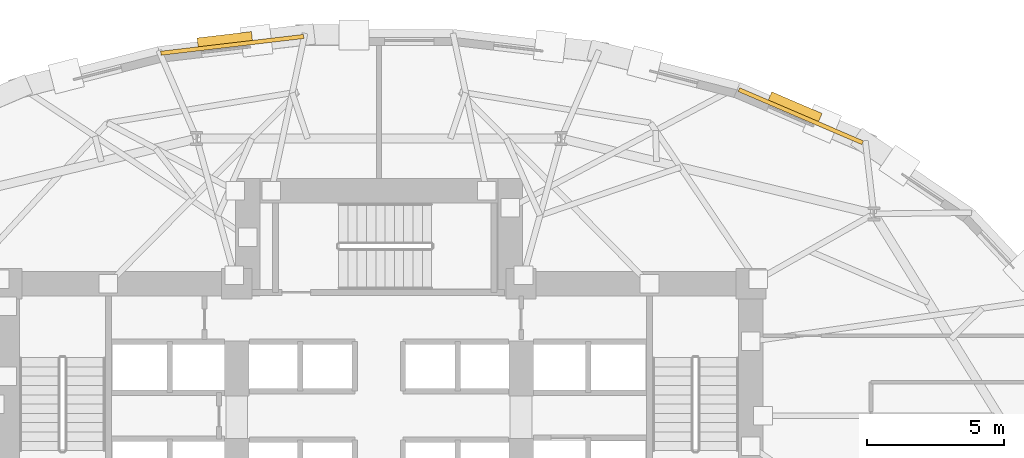
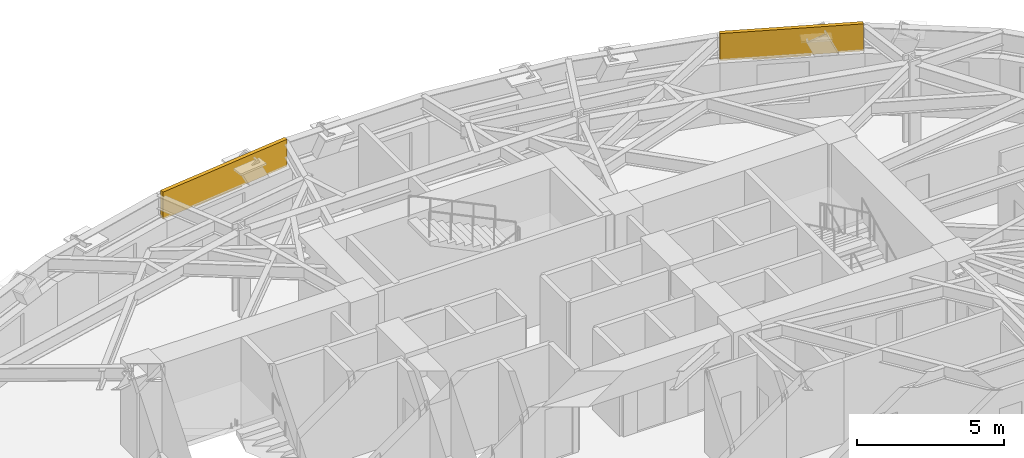
# One storey, part 14 of 14: 2 coverings, 2 shading devices.
"""IFC4 building model written with IfcOpenShell, lengths in metres."""

from ifc_helpers import new_model, si_unit, direction, frame, origin, origin_2d, place, context, subcontext, project, spatial, rectangle, extrude, material, layer, layer_set, type_object, element, save


model = new_model("IFC4")

# Units and contexts
model_context = context("Model", 3, precision=1e-05, world=origin(), true_north=direction((0.0, 1.0)))
body_context = subcontext(model_context, "Body", "Model", "MODEL_VIEW")
ifc_project = project(units=[si_unit("LENGTHUNIT", "METRE"), si_unit("AREAUNIT", "SQUARE_METRE"), si_unit("VOLUMEUNIT", "CUBIC_METRE"), si_unit("PLANEANGLEUNIT", "RADIAN"), si_unit("MASSUNIT", "GRAM", prefix="KILO")], contexts=[model_context])

# Site, building, storey
site_placement = place(None, origin())
site = spatial("IfcSite", under=ifc_project, at=site_placement, CompositionType="ELEMENT")
building_placement = place(site_placement, origin())
building = spatial("IfcBuilding", under=site, at=building_placement, Name="Keldmark Tower", CompositionType="ELEMENT")
storey_placement = place(building_placement, frame((0.0, 0.0, 48.60009765625)))
storey = spatial("IfcBuildingStorey", under=building, at=storey_placement, Name="L12", CompositionType="ELEMENT", Elevation=48.60009765625)

# Shading devices
ifc_material_1 = material(Name="Kasota Buff Limestone Bullnose and Bronze Anodized Aluminum", Category="masonry")
ifc_layer_1 = layer(ifc_material_1, 0.080078125)
ifc_layer_set_1 = layer_set([ifc_layer_1], Name="Kasota Buff Limestone Bullnose and Bronze Anodized Aluminum")
shading_device_type = type_object("IfcShadingDeviceType", Name="Deep-Set Punched Window Stone-and-Metal Sunshade", PredefinedType="AWNING", material=ifc_layer_set_1)
for number, where, z_axis, x_axis, name in (
    (1, (15.20361328125, 15.881591796875, 2.35986328125), (0.0, 0.0, 1.0), (0.91888763684, -0.394519341558, 0.0), "L12 Kasota Stone Window Sunshade 05"),
    (2, (-5.6337890625, 18.347412109375, 2.35986328125), (0.0, 0.0, 1.0), (0.993158426362, 0.116774741047, 0.0), "L12 Kasota Stone Window Sunshade 09"),
):
    element("IfcShadingDevice", number, at=place(storey_placement, frame(where, z_axis=z_axis, x_axis=x_axis)), inside=storey, type_object=shading_device_type, Name=name, PredefinedType="AWNING", context=body_context, shape_type="SweptSolid", body=[
        extrude(rectangle(XDim=2.0, YDim=0.419921875, at=origin_2d()), origin(), (0.0, 0.0, 1.0), 0.080078125),
    ])

# Coverings
ifc_material_2 = material(Name="Honed Kasota Buff Dolomitic Limestone", Category="masonry")
ifc_layer_2 = layer(ifc_material_2, 0.074951171875)
ifc_layer_set_2 = layer_set([ifc_layer_2], Name="Honed Kasota Buff Dolomitic Limestone")
covering_type = type_object("IfcCoveringType", Name="Kasota Buff Limestone Spandrel Cladding Band", PredefinedType="CLADDING", material=ifc_layer_set_2)
covering_1_placement = place(storey_placement, frame((15.426513671875, 15.5791015625, 2.452880859375), z_axis=(0.0, 0.0, 1.0), x_axis=(-0.91888763684, 0.394519341558, 0.0)))
element("IfcCovering", 3, at=covering_1_placement, inside=storey, type_object=covering_type, Name="L12 Kasota Limestone Spandrel Band 05", PredefinedType="CLADDING", context=body_context, shape_type="SweptSolid", body=[
    extrude(rectangle(XDim=4.922119140625, YDim=0.14990234375, at=origin_2d()), origin(), (0.0, 0.0, 1.0), 1.126953125),
])
covering_2_placement = place(storey_placement, frame((-5.36474609375, 18.1875, 2.452880859375), z_axis=(0.0, 0.0, 1.0), x_axis=(-0.993158426362, -0.116774741047, 0.0)))
element("IfcCovering", 4, at=covering_2_placement, inside=storey, type_object=covering_type, Name="L12 Kasota Limestone Spandrel Band 09", PredefinedType="CLADDING", context=body_context, shape_type="SweptSolid", body=[
    extrude(rectangle(XDim=5.261962890625, YDim=0.14990234375, at=origin_2d()), origin(), (0.0, 0.0, 1.0), 1.126953125),
])

save(model, "model.ifc")
